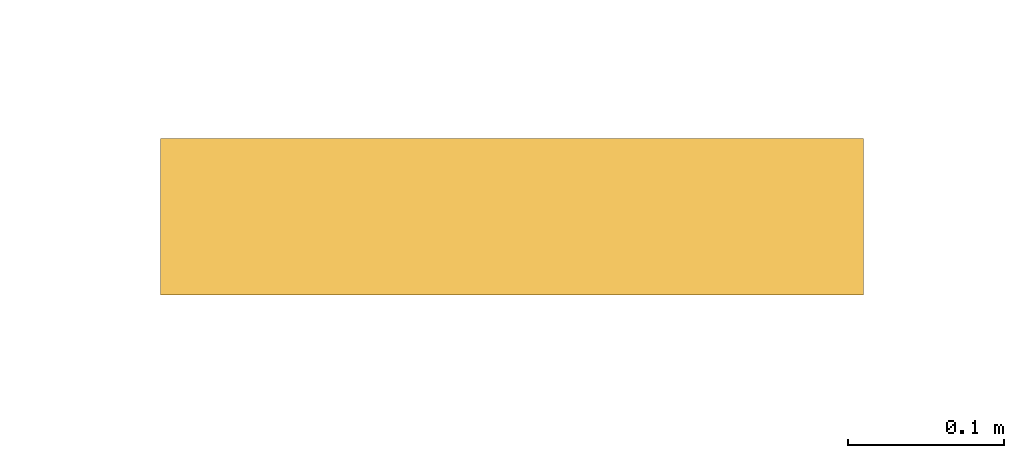
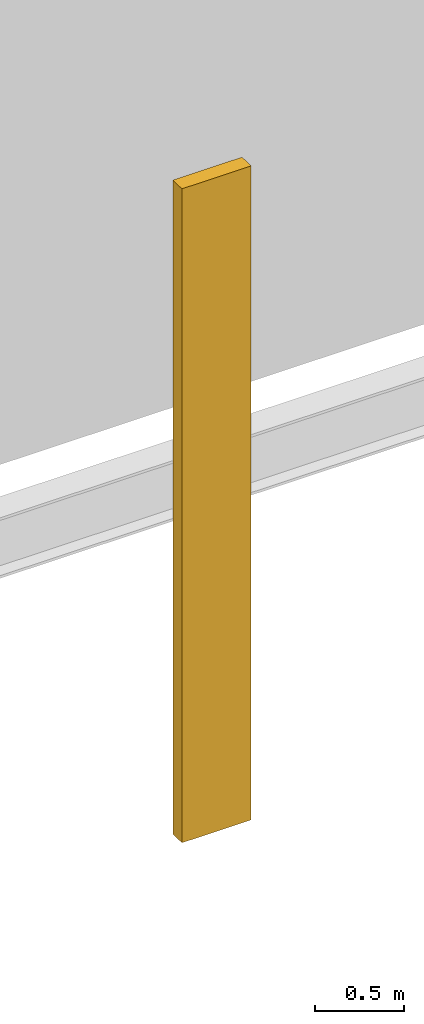
# One storey, part 4 of 4: 1 railing.
"""IFC4 building model written with IfcOpenShell, lengths in metres."""

from ifc_helpers import new_model, si_unit, direction, frame, origin, origin_2d, place, context, subcontext, project, spatial, rectangle, extrude, material, type_object, element, save


model = new_model("IFC4")

# Units and contexts
model_context = context("Model", 3, precision=1e-05, world=origin(), true_north=direction((0.0, 1.0)))
body_context = subcontext(model_context, "Body", "Model", "MODEL_VIEW")
ifc_project = project(units=[si_unit("LENGTHUNIT", "METRE"), si_unit("AREAUNIT", "SQUARE_METRE"), si_unit("VOLUMEUNIT", "CUBIC_METRE"), si_unit("PLANEANGLEUNIT", "RADIAN"), si_unit("MASSUNIT", "GRAM", prefix="KILO")], contexts=[model_context])

# Site, building, storey
site_placement = place(None, origin())
site = spatial("IfcSite", under=ifc_project, at=site_placement, CompositionType="ELEMENT")
building_placement = place(site_placement, origin())
building = spatial("IfcBuilding", under=site, at=building_placement, Name="Perihelion Cross Residences", CompositionType="ELEMENT")
storey_placement = place(building_placement, frame((0.0, 0.0, 307.800048828125)))
storey = spatial("IfcBuildingStorey", under=building, at=storey_placement, Name="L78", CompositionType="ELEMENT", Elevation=307.800048828125)

# Railing
ifc_material = material(Name="Galvanised steel S355", Category="steel")
railing_type = type_object("IfcRailingType", Name="Fixed access ladder", PredefinedType="NOTDEFINED", material=ifc_material)
railing_placement = place(storey_placement, frame((0.0, 0.800048828125, 0.0), z_axis=(0.0, 0.0, 1.0), x_axis=(1.0, 0.0, 0.0)))
element("IfcRailing", 1, at=railing_placement, inside=storey, type_object=railing_type, Name="Fixed access ladder", PredefinedType="NOTDEFINED", context=body_context, shape_type="SweptSolid", body=[
    extrude(rectangle(XDim=0.449951171875, YDim=0.10009765625, at=origin_2d()), origin(), (0.0, 0.0, 1.0), 4.5),
])

save(model, "model.ifc")
